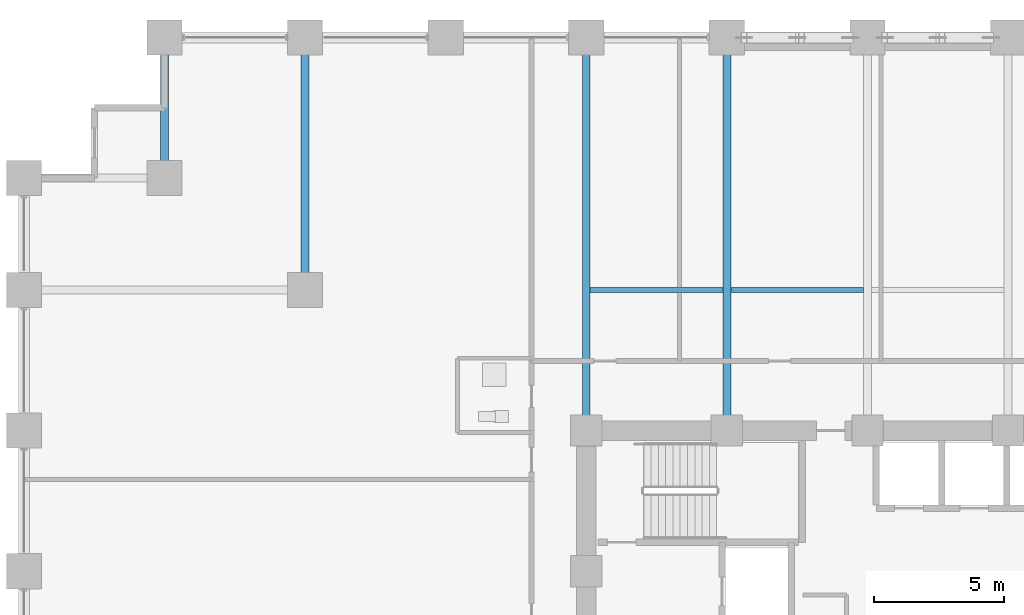
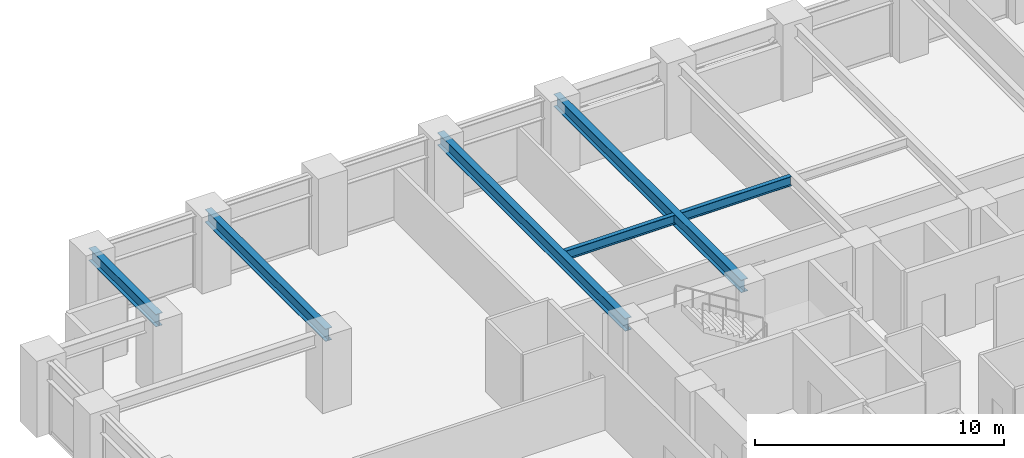
# One storey, part 11 of 25: 6 beams.
"""IFC4 building model written with IfcOpenShell, lengths in metres."""

from ifc_helpers import new_model, si_unit, direction, frame, origin, origin_2d, place, context, subcontext, project, spatial, i_section, extrude, material, material_profile, profile_set, type_object, element, save


model = new_model("IFC4")

# Units and contexts
model_context = context("Model", 3, precision=1e-05, world=origin(), true_north=direction((0.0, 1.0)))
body_context = subcontext(model_context, "Body", "Model", "MODEL_VIEW")
ifc_project = project(units=[si_unit("LENGTHUNIT", "METRE"), si_unit("AREAUNIT", "SQUARE_METRE"), si_unit("VOLUMEUNIT", "CUBIC_METRE"), si_unit("PLANEANGLEUNIT", "RADIAN"), si_unit("MASSUNIT", "GRAM", prefix="KILO")], contexts=[model_context])

# Site, building, storey
site_placement = place(None, origin())
site = spatial("IfcSite", under=ifc_project, at=site_placement, CompositionType="ELEMENT")
building_placement = place(site_placement, origin())
building = spatial("IfcBuilding", under=site, at=building_placement, Name="Surkhivell Harbour Commons", CompositionType="ELEMENT")
storey_placement = place(building_placement, frame((0.0, 0.0, 52.5)))
storey = spatial("IfcBuildingStorey", under=building, at=storey_placement, Name="L13", CompositionType="ELEMENT", Elevation=52.5)

# Beams
ifc_material = material(Name="Steel S355", Category="steel")
ifc_material_profile_1 = material_profile(ifc_material, i_section(OverallWidth=0.306884765625, OverallDepth=0.6201171875, WebThickness=0.01416015625, FlangeThickness=0.023681640625, at=origin_2d()), Name="UB610x305x179")
ifc_profile_set_1 = profile_set([ifc_material_profile_1], Name="Steel S355")
beam_type_1 = type_object("IfcBeamType", Name="BM-GRD-610A", PredefinedType="BEAM", material=ifc_profile_set_1)
beam_1_placement = place(storey_placement, frame((-27.0, 20.5, 3.260009765625), z_axis=(0.0, 1.0, 0.0), x_axis=(-1.0, 0.0, 0.0)))
element("IfcBeam", 1, at=beam_1_placement, inside=storey, type_object=beam_type_1, Name="L13 Floor Girder (-27.0,20.5)", PredefinedType="BEAM", context=body_context, shape_type="SweptSolid", body=[
    extrude(i_section(OverallWidth=0.306884765625, OverallDepth=0.6201171875, WebThickness=0.01416015625, FlangeThickness=0.023681640625, at=origin_2d()), origin(), (0.0, 0.0, 1.0), 5.39990234375),
])
beam_2_placement = place(storey_placement, frame((-21.60009765625, 16.199951171875, 3.260009765625), z_axis=(0.0, 1.0, 0.0), x_axis=(-1.0, 0.0, 0.0)))
element("IfcBeam", 2, at=beam_2_placement, inside=storey, type_object=beam_type_1, Name="L13 Floor Girder (-21.6,16.2)", PredefinedType="BEAM", context=body_context, shape_type="SweptSolid", body=[
    extrude(i_section(OverallWidth=0.306884765625, OverallDepth=0.6201171875, WebThickness=0.01416015625, FlangeThickness=0.023681640625, at=origin_2d()), origin(), (0.0, 0.0, 1.0), 9.699951171875),
])
for number, where, z_axis, x_axis, name in (
    (3, (-10.800048828125, 10.800048828125, 3.260009765625), (0.0, 1.0, 0.0), (-1.0, 0.0, 0.0), "L13 Floor Girder (-10.8,10.8)"),
    (4, (-5.39990234375, 10.800048828125, 3.260009765625), (0.0, 1.0, 0.0), (-1.0, 0.0, 0.0), "L13 Floor Girder (-5.4,10.8)"),
):
    element("IfcBeam", number, at=place(storey_placement, frame(where, z_axis=z_axis, x_axis=x_axis)), inside=storey, type_object=beam_type_1, Name=name, PredefinedType="BEAM", context=body_context, shape_type="SweptSolid", body=[
        extrude(i_section(OverallWidth=0.306884765625, OverallDepth=0.6201171875, WebThickness=0.01416015625, FlangeThickness=0.023681640625, at=origin_2d()), origin(), (0.0, 0.0, 1.0), 15.099853515625),
    ])
ifc_material_profile_2 = material_profile(ifc_material, i_section(OverallWidth=0.19189453125, OverallDepth=0.462890625, WebThickness=0.010498046875, FlangeThickness=0.017578125, at=origin_2d()), Name="UB457x191x89")
ifc_profile_set_2 = profile_set([ifc_material_profile_2], Name="Steel S355")
beam_type_2 = type_object("IfcBeamType", Name="BM-JST-457A", PredefinedType="JOIST", material=ifc_profile_set_2)
for number, where, z_axis, x_axis, name in (
    (5, (-10.6484375, 16.199951171875, 3.33837890625), (1.0, 0.0, 0.0), (0.0, 1.0, 0.0), "L13 North Composite Joist (-10.8)"),
    (6, (-5.24853515625, 16.199951171875, 3.33837890625), (1.0, 0.0, 0.0), (0.0, 1.0, 0.0), "L13 North Composite Joist (-5.4)"),
):
    element("IfcBeam", number, at=place(storey_placement, frame(where, z_axis=z_axis, x_axis=x_axis)), inside=storey, type_object=beam_type_2, Name=name, PredefinedType="JOIST", context=body_context, shape_type="SweptSolid", body=[
        extrude(i_section(OverallWidth=0.19189453125, OverallDepth=0.462890625, WebThickness=0.010498046875, FlangeThickness=0.017578125, at=origin_2d()), origin(), (0.0, 0.0, 1.0), 5.096923828125),
    ])

save(model, "model.ifc")
